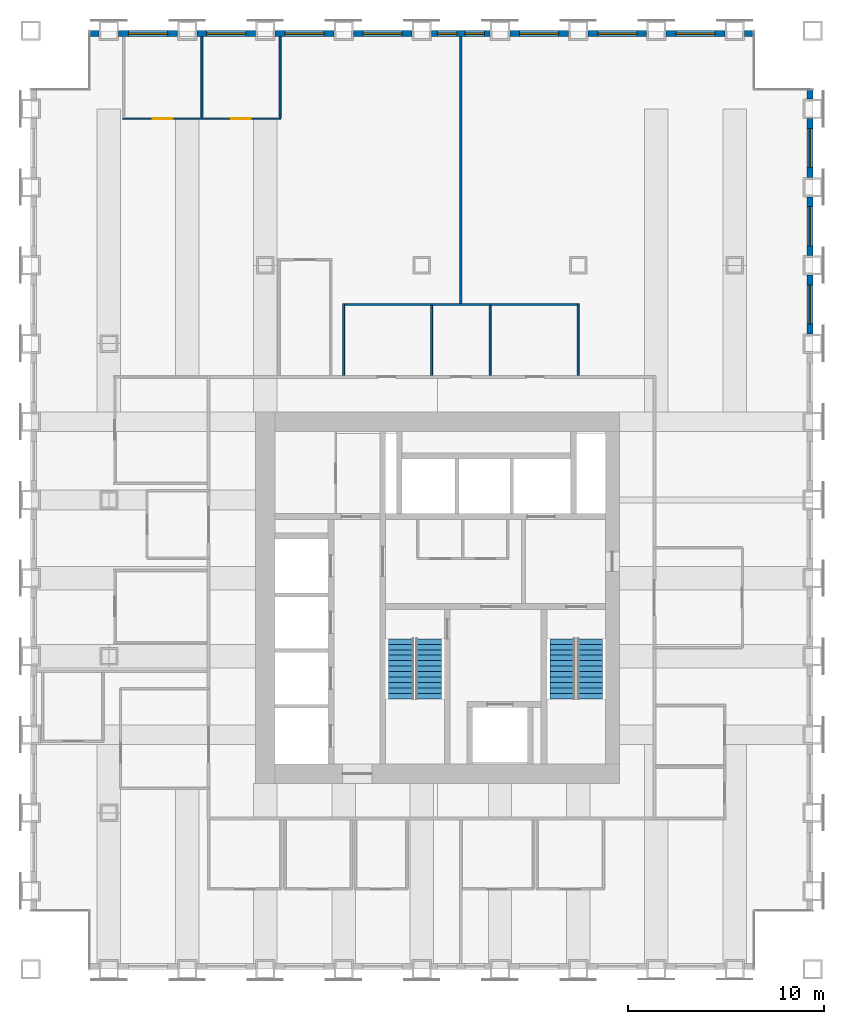
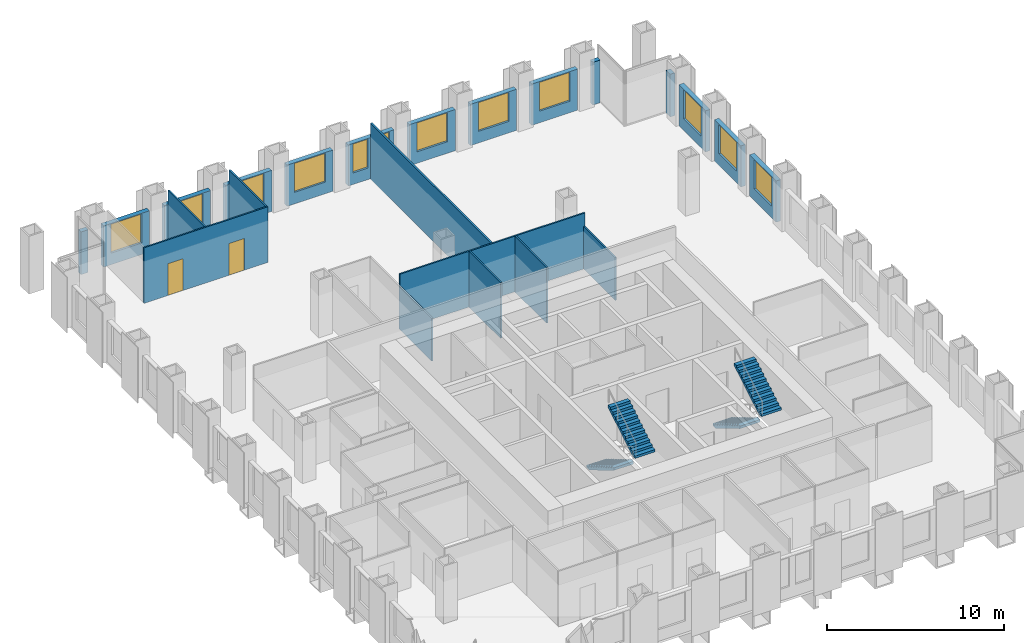
# One storey, part 11 of 13: 23 walls, 12 windows, 4 stair flights, 2 doors, 14 openings, 2 elements without a shape of their own.
"""IFC4 building model written with IfcOpenShell, lengths in metres."""

from ifc_helpers import new_model, si_unit, direction, frame, frame_2d, origin, place, context, subcontext, project, spatial, polyline, rectangle, outline, extrude, material, layer, layer_set, type_object, element, fill, aggregate, save


model = new_model("IFC4")

# Units and contexts
model_context = context("Model", 3, precision=1e-05, world=origin(), true_north=direction((0.0, 1.0)))
body_context = subcontext(model_context, "Body", "Model", "MODEL_VIEW")
ifc_project = project(units=[si_unit("LENGTHUNIT", "METRE"), si_unit("AREAUNIT", "SQUARE_METRE"), si_unit("VOLUMEUNIT", "CUBIC_METRE"), si_unit("PLANEANGLEUNIT", "RADIAN"), si_unit("MASSUNIT", "GRAM", prefix="KILO")], contexts=[model_context])

# Site, building, storey
site_placement = place(None, origin())
site = spatial("IfcSite", under=ifc_project, at=site_placement, CompositionType="ELEMENT")
building_placement = place(site_placement, origin())
building = spatial("IfcBuilding", under=site, at=building_placement, Name="Rimbunsela Tower", CompositionType="ELEMENT")
storey_placement = place(building_placement, frame((0.0, 0.0, 175.800048828125)))
storey = spatial("IfcBuildingStorey", under=building, at=storey_placement, Name="L42", CompositionType="ELEMENT", Elevation=175.800048828125)

# Wall, openings, doors
ifc_material_1 = material(Name="Gypsum board on steel studs", Category="steel")
ifc_layer_1 = layer(ifc_material_1, 0.10009765625)
ifc_layer_set_1 = layer_set([ifc_layer_1], Name="Office partition 100")
wall_type_1 = type_object("IfcWallType", Name="Office partition 100", PredefinedType="PARTITIONING", material=ifc_layer_set_1)
wall_1_placement = place(storey_placement, frame((10.699951171875, 51.5, 0.0), z_axis=(0.0, 0.0, 1.0), x_axis=(1.0, 0.0, 0.0)))
wall_1 = element("IfcWall", 1, at=wall_1_placement, inside=storey, type_object=wall_type_1, Name="Office partition", PredefinedType="PARTITIONING", context=body_context, shape_type="SweptSolid", body=[
    extrude(rectangle(XDim=8.10009765625, YDim=0.10009765625, at=frame_2d((4.050048828125, 0.0))), origin(), (0.0, 0.0, 1.0), 3.849853515625),
])
opening_1_placement = place(wall_1_placement, frame((1.550048828125, 0.0, 0.0)))
opening_1 = element("IfcOpeningElement", 2, at=opening_1_placement, cuts=wall_1, Name="Opening D16", PredefinedType="OPENING", context=body_context, shape_type="SweptSolid", body=[
    extrude(rectangle(XDim=1.0, YDim=2.199951171875, at=frame_2d((0.5, 1.10009765625))), frame((0.0, 0.06005859375, 0.0), z_axis=(0.0, -1.0, 0.0), x_axis=(1.0, 0.0, 0.0)), (0.0, 0.0, 1.0), 0.1201171875),
])
opening_2_placement = place(wall_1_placement, frame((5.550048828125, 0.0, 0.0)))
opening_2 = element("IfcOpeningElement", 3, at=opening_2_placement, cuts=wall_1, Name="Opening D16", PredefinedType="OPENING", context=body_context, shape_type="SweptSolid", body=[
    extrude(rectangle(XDim=1.0, YDim=2.199951171875, at=frame_2d((0.5, 1.10009765625))), frame((0.0, 0.06005859375, 0.0), z_axis=(0.0, -1.0, 0.0), x_axis=(1.0, 0.0, 0.0)), (0.0, 0.0, 1.0), 0.1201171875),
])
ifc_material_2 = material(Name="Timber door", Category="wood")
door_type = type_object("IfcDoorType", Name="Office door 1000", OperationType="SINGLE_SWING_LEFT", PredefinedType="DOOR", material=ifc_material_2)
door_1_placement = place(opening_1_placement, origin())
door_1 = element("IfcDoor", 4, at=door_1_placement, inside=storey, type_object=door_type, Name="Office door", OperationType="SINGLE_SWING_LEFT", OverallHeight=2.199951171875, OverallWidth=1.0, PredefinedType="DOOR", context=body_context, shape_type="SweptSolid", body=[
    extrude(rectangle(XDim=1.0, YDim=2.199951171875, at=frame_2d((0.5, 1.10009765625))), frame((0.0, 0.02490234375, 0.0), z_axis=(0.0, -1.0, 0.0), x_axis=(1.0, 0.0, 0.0)), (0.0, 0.0, 1.0), 0.050048828125),
])
fill(opening_1, door_1)
door_2_placement = place(opening_2_placement, origin())
door_2 = element("IfcDoor", 5, at=door_2_placement, inside=storey, type_object=door_type, Name="Office door", OperationType="SINGLE_SWING_LEFT", OverallHeight=2.199951171875, OverallWidth=1.0, PredefinedType="DOOR", context=body_context, shape_type="SweptSolid", body=[
    extrude(rectangle(XDim=1.0, YDim=2.199951171875, at=frame_2d((0.5, 1.10009765625))), frame((0.0, 0.02490234375, 0.0), z_axis=(0.0, -1.0, 0.0), x_axis=(1.0, 0.0, 0.0)), (0.0, 0.0, 1.0), 0.050048828125),
])
fill(opening_2, door_2)

# Walls
for number, where, z_axis, x_axis, name in (
    (6, (14.75, 51.550048828125, 0.0), (0.0, 0.0, 1.0), (0.0, 1.0, 0.0), "Office partition"),
    (7, (18.75, 51.550048828125, 0.0), (0.0, 0.0, 1.0), (0.0, 1.0, 0.0), "Office partition"),
):
    element("IfcWall", number, at=place(storey_placement, frame(where, z_axis=z_axis, x_axis=x_axis)), inside=storey, type_object=wall_type_1, Name=name, PredefinedType="PARTITIONING", context=body_context, shape_type="SweptSolid", body=[
        extrude(rectangle(XDim=4.14990234375, YDim=0.10009765625, at=frame_2d((2.074951171875, 0.0))), origin(), (0.0, 0.0, 1.0), 3.849853515625),
    ])

# Wall, opening, window
ifc_material_3 = material(Name="Precast concrete fc' 35 MPa", Category="concrete")
ifc_layer_2 = layer(ifc_material_3, 0.300048828125)
ifc_layer_set_2 = layer_set([ifc_layer_2], Name="Precast concrete fc' 35 MPa")
wall_type_2 = type_object("IfcWallType", Name="Precast facade panel 300", PredefinedType="ELEMENTEDWALL", material=ifc_layer_set_2)
wall_2_placement = place(storey_placement, frame((45.85009765625, 40.5, 0.0), z_axis=(0.0, 0.0, 1.0), x_axis=(0.0, 1.0, 0.0)))
wall_2 = element("IfcWall", 8, at=wall_2_placement, inside=storey, type_object=wall_type_2, Name="Facade panel E L42", PredefinedType="ELEMENTEDWALL", context=body_context, shape_type="SweptSolid", body=[
    extrude(rectangle(XDim=3.0, YDim=0.300048828125, at=frame_2d((1.5, 0.0))), origin(), (0.0, 0.0, 1.0), 2.849853515625),
])
opening_3_placement = place(wall_2_placement, frame((0.5, 0.0, 0.800048828125)))
opening_3 = element("IfcOpeningElement", 9, at=opening_3_placement, cuts=wall_2, Name="Opening W1", PredefinedType="OPENING", context=body_context, shape_type="SweptSolid", body=[
    extrude(rectangle(XDim=2.0, YDim=2.0, at=frame_2d((1.0, 1.0))), frame((0.0, 0.159912109375, 0.0), z_axis=(0.0, -1.0, 0.0), x_axis=(1.0, 0.0, 0.0)), (0.0, 0.0, 1.0), 0.320068359375),
])
ifc_material_4 = material(Name="Clear glass in aluminium frame", Category="aluminium")
window_type_1 = type_object("IfcWindowType", Name="Window W1 2000x2000", PartitioningType="DOUBLE_PANEL_VERTICAL", PredefinedType="WINDOW", material=ifc_material_4)
window_1_placement = place(opening_3_placement, origin())
window_1 = element("IfcWindow", 10, at=window_1_placement, inside=storey, type_object=window_type_1, Name="Window L42", OverallHeight=2.0, OverallWidth=2.0, PartitioningType="SINGLE_PANEL", PredefinedType="WINDOW", context=body_context, shape_type="SweptSolid", body=[
    extrude(rectangle(XDim=2.0, YDim=2.0, at=frame_2d((1.0, 1.0))), frame((0.0, 0.030029296875, 0.0), z_axis=(0.0, -1.0, 0.0), x_axis=(1.0, 0.0, 0.0)), (0.0, 0.0, 1.0), 0.06005859375),
])
fill(opening_3, window_1)

wall_3_placement = place(storey_placement, frame((45.85009765625, 44.5, 0.0), z_axis=(0.0, 0.0, 1.0), x_axis=(0.0, 1.0, 0.0)))
wall_3 = element("IfcWall", 11, at=wall_3_placement, inside=storey, type_object=wall_type_2, Name="Facade panel E L42", PredefinedType="ELEMENTEDWALL", context=body_context, shape_type="SweptSolid", body=[
    extrude(rectangle(XDim=3.0, YDim=0.300048828125, at=frame_2d((1.5, 0.0))), origin(), (0.0, 0.0, 1.0), 2.849853515625),
])
opening_4_placement = place(wall_3_placement, frame((0.5, 0.0, 0.800048828125)))
opening_4 = element("IfcOpeningElement", 12, at=opening_4_placement, cuts=wall_3, Name="Opening W1", PredefinedType="OPENING", context=body_context, shape_type="SweptSolid", body=[
    extrude(rectangle(XDim=2.0, YDim=2.0, at=frame_2d((1.0, 1.0))), frame((0.0, 0.159912109375, 0.0), z_axis=(0.0, -1.0, 0.0), x_axis=(1.0, 0.0, 0.0)), (0.0, 0.0, 1.0), 0.320068359375),
])
window_2_placement = place(opening_4_placement, origin())
window_2 = element("IfcWindow", 13, at=window_2_placement, inside=storey, type_object=window_type_1, Name="Window L42", OverallHeight=2.0, OverallWidth=2.0, PartitioningType="SINGLE_PANEL", PredefinedType="WINDOW", context=body_context, shape_type="SweptSolid", body=[
    extrude(rectangle(XDim=2.0, YDim=2.0, at=frame_2d((1.0, 1.0))), frame((0.0, 0.030029296875, 0.0), z_axis=(0.0, -1.0, 0.0), x_axis=(1.0, 0.0, 0.0)), (0.0, 0.0, 1.0), 0.06005859375),
])
fill(opening_4, window_2)

wall_4_placement = place(storey_placement, frame((45.85009765625, 48.5, 0.0), z_axis=(0.0, 0.0, 1.0), x_axis=(0.0, 1.0, 0.0)))
wall_4 = element("IfcWall", 14, at=wall_4_placement, inside=storey, type_object=wall_type_2, Name="Facade panel E L42", PredefinedType="ELEMENTEDWALL", context=body_context, shape_type="SweptSolid", body=[
    extrude(rectangle(XDim=3.0, YDim=0.300048828125, at=frame_2d((1.5, 0.0))), origin(), (0.0, 0.0, 1.0), 2.849853515625),
])
opening_5_placement = place(wall_4_placement, frame((0.5, 0.0, 0.800048828125)))
opening_5 = element("IfcOpeningElement", 15, at=opening_5_placement, cuts=wall_4, Name="Opening W1", PredefinedType="OPENING", context=body_context, shape_type="SweptSolid", body=[
    extrude(rectangle(XDim=2.0, YDim=2.0, at=frame_2d((1.0, 1.0))), frame((0.0, 0.159912109375, 0.0), z_axis=(0.0, -1.0, 0.0), x_axis=(1.0, 0.0, 0.0)), (0.0, 0.0, 1.0), 0.320068359375),
])
window_3_placement = place(opening_5_placement, origin())
window_3 = element("IfcWindow", 16, at=window_3_placement, inside=storey, type_object=window_type_1, Name="Window L42", OverallHeight=2.0, OverallWidth=2.0, PartitioningType="SINGLE_PANEL", PredefinedType="WINDOW", context=body_context, shape_type="SweptSolid", body=[
    extrude(rectangle(XDim=2.0, YDim=2.0, at=frame_2d((1.0, 1.0))), frame((0.0, 0.030029296875, 0.0), z_axis=(0.0, -1.0, 0.0), x_axis=(1.0, 0.0, 0.0)), (0.0, 0.0, 1.0), 0.06005859375),
])
fill(opening_5, window_3)

# Walls
for number, where, z_axis, x_axis, name in (
    (17, (45.85009765625, 52.5, 0.0), (0.0, 0.0, 1.0), (0.0, 1.0, 0.0), "Facade panel E L42"),
    (18, (9.5, 55.85009765625, 0.0), (0.0, 0.0, 1.0), (-1.0, 0.0, 0.0), "Facade panel N L42"),
):
    element("IfcWall", number, at=place(storey_placement, frame(where, z_axis=z_axis, x_axis=x_axis)), inside=storey, type_object=wall_type_2, Name=name, PredefinedType="ELEMENTEDWALL", context=body_context, shape_type="SweptSolid", body=[
        extrude(rectangle(XDim=0.469970703125, YDim=0.300048828125, at=frame_2d((0.23486328125, 0.0))), origin(), (0.0, 0.0, 1.0), 2.949951171875),
    ])

# Wall, opening, window
wall_5_placement = place(storey_placement, frame((13.5, 55.85009765625, 0.0), z_axis=(0.0, 0.0, 1.0), x_axis=(-1.0, 0.0, 0.0)))
wall_5 = element("IfcWall", 19, at=wall_5_placement, inside=storey, type_object=wall_type_2, Name="Facade panel N L42", PredefinedType="ELEMENTEDWALL", context=body_context, shape_type="SweptSolid", body=[
    extrude(rectangle(XDim=3.0, YDim=0.300048828125, at=frame_2d((1.5, 0.0))), origin(), (0.0, 0.0, 1.0), 2.849853515625),
])
opening_6_placement = place(wall_5_placement, frame((0.5, 0.0, 0.800048828125)))
opening_6 = element("IfcOpeningElement", 20, at=opening_6_placement, cuts=wall_5, Name="Opening W1", PredefinedType="OPENING", context=body_context, shape_type="SweptSolid", body=[
    extrude(rectangle(XDim=2.0, YDim=2.0, at=frame_2d((1.0, 1.0))), frame((0.0, 0.159912109375, 0.0), z_axis=(0.0, -1.0, 0.0), x_axis=(1.0, 0.0, 0.0)), (0.0, 0.0, 1.0), 0.320068359375),
])
window_4_placement = place(opening_6_placement, origin())
window_4 = element("IfcWindow", 21, at=window_4_placement, inside=storey, type_object=window_type_1, Name="Window L42", OverallHeight=2.0, OverallWidth=2.0, PartitioningType="SINGLE_PANEL", PredefinedType="WINDOW", context=body_context, shape_type="SweptSolid", body=[
    extrude(rectangle(XDim=2.0, YDim=2.0, at=frame_2d((1.0, 1.0))), frame((0.0, 0.030029296875, 0.0), z_axis=(0.0, -1.0, 0.0), x_axis=(1.0, 0.0, 0.0)), (0.0, 0.0, 1.0), 0.06005859375),
])
fill(opening_6, window_4)

wall_6_placement = place(storey_placement, frame((17.5, 55.85009765625, 0.0), z_axis=(0.0, 0.0, 1.0), x_axis=(-1.0, 0.0, 0.0)))
wall_6 = element("IfcWall", 22, at=wall_6_placement, inside=storey, type_object=wall_type_2, Name="Facade panel N L42", PredefinedType="ELEMENTEDWALL", context=body_context, shape_type="SweptSolid", body=[
    extrude(rectangle(XDim=3.0, YDim=0.300048828125, at=frame_2d((1.5, 0.0))), origin(), (0.0, 0.0, 1.0), 2.849853515625),
])
opening_7_placement = place(wall_6_placement, frame((0.5, 0.0, 0.800048828125)))
opening_7 = element("IfcOpeningElement", 23, at=opening_7_placement, cuts=wall_6, Name="Opening W1", PredefinedType="OPENING", context=body_context, shape_type="SweptSolid", body=[
    extrude(rectangle(XDim=2.0, YDim=2.0, at=frame_2d((1.0, 1.0))), frame((0.0, 0.159912109375, 0.0), z_axis=(0.0, -1.0, 0.0), x_axis=(1.0, 0.0, 0.0)), (0.0, 0.0, 1.0), 0.320068359375),
])
window_5_placement = place(opening_7_placement, origin())
window_5 = element("IfcWindow", 24, at=window_5_placement, inside=storey, type_object=window_type_1, Name="Window L42", OverallHeight=2.0, OverallWidth=2.0, PartitioningType="SINGLE_PANEL", PredefinedType="WINDOW", context=body_context, shape_type="SweptSolid", body=[
    extrude(rectangle(XDim=2.0, YDim=2.0, at=frame_2d((1.0, 1.0))), frame((0.0, 0.030029296875, 0.0), z_axis=(0.0, -1.0, 0.0), x_axis=(1.0, 0.0, 0.0)), (0.0, 0.0, 1.0), 0.06005859375),
])
fill(opening_7, window_5)

wall_7_placement = place(storey_placement, frame((21.5, 55.85009765625, 0.0), z_axis=(0.0, 0.0, 1.0), x_axis=(-1.0, 0.0, 0.0)))
wall_7 = element("IfcWall", 25, at=wall_7_placement, inside=storey, type_object=wall_type_2, Name="Facade panel N L42", PredefinedType="ELEMENTEDWALL", context=body_context, shape_type="SweptSolid", body=[
    extrude(rectangle(XDim=3.0, YDim=0.300048828125, at=frame_2d((1.5, 0.0))), origin(), (0.0, 0.0, 1.0), 2.849853515625),
])
opening_8_placement = place(wall_7_placement, frame((0.5, 0.0, 0.800048828125)))
opening_8 = element("IfcOpeningElement", 26, at=opening_8_placement, cuts=wall_7, Name="Opening W1", PredefinedType="OPENING", context=body_context, shape_type="SweptSolid", body=[
    extrude(rectangle(XDim=2.0, YDim=2.0, at=frame_2d((1.0, 1.0))), frame((0.0, 0.159912109375, 0.0), z_axis=(0.0, -1.0, 0.0), x_axis=(1.0, 0.0, 0.0)), (0.0, 0.0, 1.0), 0.320068359375),
])
window_6_placement = place(opening_8_placement, origin())
window_6 = element("IfcWindow", 27, at=window_6_placement, inside=storey, type_object=window_type_1, Name="Window L42", OverallHeight=2.0, OverallWidth=2.0, PartitioningType="SINGLE_PANEL", PredefinedType="WINDOW", context=body_context, shape_type="SweptSolid", body=[
    extrude(rectangle(XDim=2.0, YDim=2.0, at=frame_2d((1.0, 1.0))), frame((0.0, 0.030029296875, 0.0), z_axis=(0.0, -1.0, 0.0), x_axis=(1.0, 0.0, 0.0)), (0.0, 0.0, 1.0), 0.06005859375),
])
fill(opening_8, window_6)

wall_8_placement = place(storey_placement, frame((25.5, 55.85009765625, 0.0), z_axis=(0.0, 0.0, 1.0), x_axis=(-1.0, 0.0, 0.0)))
wall_8 = element("IfcWall", 28, at=wall_8_placement, inside=storey, type_object=wall_type_2, Name="Facade panel N L42", PredefinedType="ELEMENTEDWALL", context=body_context, shape_type="SweptSolid", body=[
    extrude(rectangle(XDim=3.0, YDim=0.300048828125, at=frame_2d((1.5, 0.0))), origin(), (0.0, 0.0, 1.0), 2.849853515625),
])
opening_9_placement = place(wall_8_placement, frame((0.5, 0.0, 0.800048828125)))
opening_9 = element("IfcOpeningElement", 29, at=opening_9_placement, cuts=wall_8, Name="Opening W1", PredefinedType="OPENING", context=body_context, shape_type="SweptSolid", body=[
    extrude(rectangle(XDim=2.0, YDim=2.0, at=frame_2d((1.0, 1.0))), frame((0.0, 0.159912109375, 0.0), z_axis=(0.0, -1.0, 0.0), x_axis=(1.0, 0.0, 0.0)), (0.0, 0.0, 1.0), 0.320068359375),
])
window_7_placement = place(opening_9_placement, origin())
window_7 = element("IfcWindow", 30, at=window_7_placement, inside=storey, type_object=window_type_1, Name="Window L42", OverallHeight=2.0, OverallWidth=2.0, PartitioningType="SINGLE_PANEL", PredefinedType="WINDOW", context=body_context, shape_type="SweptSolid", body=[
    extrude(rectangle(XDim=2.0, YDim=2.0, at=frame_2d((1.0, 1.0))), frame((0.0, 0.030029296875, 0.0), z_axis=(0.0, -1.0, 0.0), x_axis=(1.0, 0.0, 0.0)), (0.0, 0.0, 1.0), 0.06005859375),
])
fill(opening_9, window_7)

# Wall, openings, windows
wall_9_placement = place(storey_placement, frame((29.5, 55.85009765625, 0.0), z_axis=(0.0, 0.0, 1.0), x_axis=(-1.0, 0.0, 0.0)))
wall_9 = element("IfcWall", 31, at=wall_9_placement, inside=storey, type_object=wall_type_2, Name="Facade panel N L42", PredefinedType="ELEMENTEDWALL", context=body_context, shape_type="SweptSolid", body=[
    extrude(rectangle(XDim=3.0, YDim=0.300048828125, at=frame_2d((1.5, 0.0))), origin(), (0.0, 0.0, 1.0), 2.849853515625),
])
opening_10_placement = place(wall_9_placement, frame((1.699951171875, 0.0, 0.800048828125)))
opening_10 = element("IfcOpeningElement", 32, at=opening_10_placement, cuts=wall_9, Name="Opening W5", PredefinedType="OPENING", context=body_context, shape_type="SweptSolid", body=[
    extrude(rectangle(XDim=1.0, YDim=2.0, at=frame_2d((0.5, 1.0))), frame((0.0, 0.159912109375, 0.0), z_axis=(0.0, -1.0, 0.0), x_axis=(1.0, 0.0, 0.0)), (0.0, 0.0, 1.0), 0.320068359375),
])
opening_11_placement = place(wall_9_placement, frame((0.300048828125, 0.0, 0.800048828125)))
opening_11 = element("IfcOpeningElement", 33, at=opening_11_placement, cuts=wall_9, Name="Opening W5", PredefinedType="OPENING", context=body_context, shape_type="SweptSolid", body=[
    extrude(rectangle(XDim=1.0, YDim=2.0, at=frame_2d((0.5, 1.0))), frame((0.0, 0.159912109375, 0.0), z_axis=(0.0, -1.0, 0.0), x_axis=(1.0, 0.0, 0.0)), (0.0, 0.0, 1.0), 0.320068359375),
])
ifc_material_5 = material(Name="Clear glass in aluminium frame", Category="aluminium")
window_type_2 = type_object("IfcWindowType", Name="Window W5 1000x2000", PartitioningType="SINGLE_PANEL", PredefinedType="WINDOW", material=ifc_material_5)
window_8_placement = place(opening_10_placement, origin())
window_8 = element("IfcWindow", 34, at=window_8_placement, inside=storey, type_object=window_type_2, Name="Window L42", OverallHeight=2.0, OverallWidth=1.0, PartitioningType="SINGLE_PANEL", PredefinedType="WINDOW", context=body_context, shape_type="SweptSolid", body=[
    extrude(rectangle(XDim=1.0, YDim=2.0, at=frame_2d((0.5, 1.0))), frame((0.0, 0.030029296875, 0.0), z_axis=(0.0, -1.0, 0.0), x_axis=(1.0, 0.0, 0.0)), (0.0, 0.0, 1.0), 0.06005859375),
])
fill(opening_10, window_8)
window_9_placement = place(opening_11_placement, origin())
window_9 = element("IfcWindow", 35, at=window_9_placement, inside=storey, type_object=window_type_2, Name="Window L42", OverallHeight=2.0, OverallWidth=1.0, PartitioningType="SINGLE_PANEL", PredefinedType="WINDOW", context=body_context, shape_type="SweptSolid", body=[
    extrude(rectangle(XDim=1.0, YDim=2.0, at=frame_2d((0.5, 1.0))), frame((0.0, 0.030029296875, 0.0), z_axis=(0.0, -1.0, 0.0), x_axis=(1.0, 0.0, 0.0)), (0.0, 0.0, 1.0), 0.06005859375),
])
fill(opening_11, window_9)

# Wall, opening, window
wall_10_placement = place(storey_placement, frame((33.5, 55.85009765625, 0.0), z_axis=(0.0, 0.0, 1.0), x_axis=(-1.0, 0.0, 0.0)))
wall_10 = element("IfcWall", 36, at=wall_10_placement, inside=storey, type_object=wall_type_2, Name="Facade panel N L42", PredefinedType="ELEMENTEDWALL", context=body_context, shape_type="SweptSolid", body=[
    extrude(rectangle(XDim=3.0, YDim=0.300048828125, at=frame_2d((1.5, 0.0))), origin(), (0.0, 0.0, 1.0), 2.849853515625),
])
opening_12_placement = place(wall_10_placement, frame((0.5, 0.0, 0.800048828125)))
opening_12 = element("IfcOpeningElement", 37, at=opening_12_placement, cuts=wall_10, Name="Opening W1", PredefinedType="OPENING", context=body_context, shape_type="SweptSolid", body=[
    extrude(rectangle(XDim=2.0, YDim=2.0, at=frame_2d((1.0, 1.0))), frame((0.0, 0.159912109375, 0.0), z_axis=(0.0, -1.0, 0.0), x_axis=(1.0, 0.0, 0.0)), (0.0, 0.0, 1.0), 0.320068359375),
])
window_10_placement = place(opening_12_placement, origin())
window_10 = element("IfcWindow", 38, at=window_10_placement, inside=storey, type_object=window_type_1, Name="Window L42", OverallHeight=2.0, OverallWidth=2.0, PartitioningType="SINGLE_PANEL", PredefinedType="WINDOW", context=body_context, shape_type="SweptSolid", body=[
    extrude(rectangle(XDim=2.0, YDim=2.0, at=frame_2d((1.0, 1.0))), frame((0.0, 0.030029296875, 0.0), z_axis=(0.0, -1.0, 0.0), x_axis=(1.0, 0.0, 0.0)), (0.0, 0.0, 1.0), 0.06005859375),
])
fill(opening_12, window_10)

wall_11_placement = place(storey_placement, frame((37.5, 55.85009765625, 0.0), z_axis=(0.0, 0.0, 1.0), x_axis=(-1.0, 0.0, 0.0)))
wall_11 = element("IfcWall", 39, at=wall_11_placement, inside=storey, type_object=wall_type_2, Name="Facade panel N L42", PredefinedType="ELEMENTEDWALL", context=body_context, shape_type="SweptSolid", body=[
    extrude(rectangle(XDim=3.0, YDim=0.300048828125, at=frame_2d((1.5, 0.0))), origin(), (0.0, 0.0, 1.0), 2.849853515625),
])
opening_13_placement = place(wall_11_placement, frame((0.5, 0.0, 0.800048828125)))
opening_13 = element("IfcOpeningElement", 40, at=opening_13_placement, cuts=wall_11, Name="Opening W1", PredefinedType="OPENING", context=body_context, shape_type="SweptSolid", body=[
    extrude(rectangle(XDim=2.0, YDim=2.0, at=frame_2d((1.0, 1.0))), frame((0.0, 0.159912109375, 0.0), z_axis=(0.0, -1.0, 0.0), x_axis=(1.0, 0.0, 0.0)), (0.0, 0.0, 1.0), 0.320068359375),
])
window_11_placement = place(opening_13_placement, origin())
window_11 = element("IfcWindow", 41, at=window_11_placement, inside=storey, type_object=window_type_1, Name="Window L42", OverallHeight=2.0, OverallWidth=2.0, PartitioningType="SINGLE_PANEL", PredefinedType="WINDOW", context=body_context, shape_type="SweptSolid", body=[
    extrude(rectangle(XDim=2.0, YDim=2.0, at=frame_2d((1.0, 1.0))), frame((0.0, 0.030029296875, 0.0), z_axis=(0.0, -1.0, 0.0), x_axis=(1.0, 0.0, 0.0)), (0.0, 0.0, 1.0), 0.06005859375),
])
fill(opening_13, window_11)

wall_12_placement = place(storey_placement, frame((41.5, 55.85009765625, 0.0), z_axis=(0.0, 0.0, 1.0), x_axis=(-1.0, 0.0, 0.0)))
wall_12 = element("IfcWall", 42, at=wall_12_placement, inside=storey, type_object=wall_type_2, Name="Facade panel N L42", PredefinedType="ELEMENTEDWALL", context=body_context, shape_type="SweptSolid", body=[
    extrude(rectangle(XDim=3.0, YDim=0.300048828125, at=frame_2d((1.5, 0.0))), origin(), (0.0, 0.0, 1.0), 2.849853515625),
])
opening_14_placement = place(wall_12_placement, frame((0.5, 0.0, 0.800048828125)))
opening_14 = element("IfcOpeningElement", 43, at=opening_14_placement, cuts=wall_12, Name="Opening W1", PredefinedType="OPENING", context=body_context, shape_type="SweptSolid", body=[
    extrude(rectangle(XDim=2.0, YDim=2.0, at=frame_2d((1.0, 1.0))), frame((0.0, 0.159912109375, 0.0), z_axis=(0.0, -1.0, 0.0), x_axis=(1.0, 0.0, 0.0)), (0.0, 0.0, 1.0), 0.320068359375),
])
window_12_placement = place(opening_14_placement, origin())
window_12 = element("IfcWindow", 44, at=window_12_placement, inside=storey, type_object=window_type_1, Name="Window L42", OverallHeight=2.0, OverallWidth=2.0, PartitioningType="SINGLE_PANEL", PredefinedType="WINDOW", context=body_context, shape_type="SweptSolid", body=[
    extrude(rectangle(XDim=2.0, YDim=2.0, at=frame_2d((1.0, 1.0))), frame((0.0, 0.030029296875, 0.0), z_axis=(0.0, -1.0, 0.0), x_axis=(1.0, 0.0, 0.0)), (0.0, 0.0, 1.0), 0.06005859375),
])
fill(opening_14, window_12)

# Walls
wall_13_placement = place(storey_placement, frame((42.969970703125, 55.85009765625, 0.0), z_axis=(0.0, 0.0, 1.0), x_axis=(-1.0, 0.0, 0.0)))
element("IfcWall", 45, at=wall_13_placement, inside=storey, type_object=wall_type_2, Name="Facade panel N L42", PredefinedType="ELEMENTEDWALL", context=body_context, shape_type="SweptSolid", body=[
    extrude(rectangle(XDim=0.469970703125, YDim=0.300048828125, at=frame_2d((0.23486328125, 0.0))), origin(), (0.0, 0.0, 1.0), 2.949951171875),
])
ifc_material_6 = material(Name="Gypsum board on steel studs", Category="steel")
ifc_layer_3 = layer(ifc_material_6, 0.1201171875)
ifc_layer_set_3 = layer_set([ifc_layer_3], Name="Tenancy partition 120")
wall_type_3 = type_object("IfcWallType", Name="Tenancy partition 120", PredefinedType="PARTITIONING", material=ifc_layer_set_3)
wall_14_placement = place(storey_placement, frame((28.0, 42.050048828125, 0.0), z_axis=(0.0, 0.0, 1.0), x_axis=(0.0, 1.0, 0.0)))
element("IfcWall", 46, at=wall_14_placement, inside=storey, type_object=wall_type_3, Name="Tenancy partition north", PredefinedType="PARTITIONING", context=body_context, shape_type="SweptSolid", body=[
    extrude(rectangle(XDim=13.64990234375, YDim=0.1201171875, at=frame_2d((6.824951171875, 0.0))), origin(), (0.0, 0.0, 1.0), 3.849853515625),
])
ifc_material_7 = material(Name="Concrete blockwork", Category="masonry")
ifc_layer_4 = layer(ifc_material_7, 0.10009765625)
ifc_layer_set_4 = layer_set([ifc_layer_4], Name="Toilet partition 100")
wall_type_4 = type_object("IfcWallType", Name="Toilet partition 100", PredefinedType="PARTITIONING", material=ifc_layer_set_4)
for number, where, z_axis, x_axis, name in (
    (47, (22.0, 38.375, 0.0), (0.0, 0.0, 1.0), (0.0, 1.0, 0.0), "Toilet block wall west"),
    (48, (34.0, 38.375, 0.0), (0.0, 0.0, 1.0), (0.0, 1.0, 0.0), "Toilet block wall east"),
):
    element("IfcWall", number, at=place(storey_placement, frame(where, z_axis=z_axis, x_axis=x_axis)), inside=storey, type_object=wall_type_4, Name=name, PredefinedType="PARTITIONING", context=body_context, shape_type="SweptSolid", body=[
        extrude(rectangle(XDim=3.675048828125, YDim=0.10009765625, at=frame_2d((1.83740234375, 0.0))), origin(), (0.0, 0.0, 1.0), 2.949951171875),
    ])
wall_15_placement = place(storey_placement, frame((21.949951171875, 42.0, 0.0), z_axis=(0.0, 0.0, 1.0), x_axis=(1.0, 0.0, 0.0)))
element("IfcWall", 49, at=wall_15_placement, inside=storey, type_object=wall_type_4, Name="Toilet block wall north", PredefinedType="PARTITIONING", context=body_context, shape_type="SweptSolid", body=[
    extrude(rectangle(XDim=12.10009765625, YDim=0.10009765625, at=frame_2d((6.050048828125, 0.0))), origin(), (0.0, 0.0, 1.0), 3.849853515625),
])
for number, where, z_axis, x_axis, name in (
    (50, (26.5, 38.375, 0.0), (0.0, 0.0, 1.0), (0.0, 1.0, 0.0), "Toilet partition"),
    (51, (29.5, 38.375, 0.0), (0.0, 0.0, 1.0), (0.0, 1.0, 0.0), "Toilet partition"),
):
    element("IfcWall", number, at=place(storey_placement, frame(where, z_axis=z_axis, x_axis=x_axis)), inside=storey, type_object=wall_type_4, Name=name, PredefinedType="PARTITIONING", context=body_context, shape_type="SweptSolid", body=[
        extrude(rectangle(XDim=3.574951171875, YDim=0.10009765625, at=frame_2d((1.78759765625, 0.0))), origin(), (0.0, 0.0, 1.0), 3.849853515625),
    ])

# Stair, stair flights
ifc_material_8 = material(Name="Concrete fc' 35 MPa", Category="concrete")
stair_type = type_object("IfcStairType", Name="Exit stair 24 risers", PredefinedType="HALF_TURN_STAIR", material=ifc_material_8)
stair_1_placement = place(storey_placement, origin())
stair_1 = element("IfcStair", 52, at=stair_1_placement, inside=storey, type_object=stair_type, Name="Exit stair A L42", PredefinedType="HALF_TURN_STAIR")
ifc_material_9 = material(Name="Concrete fc' 35 MPa", Category="concrete")
stair_flight_type = type_object("IfcStairFlightType", Name="Stair flight 12 risers 167", PredefinedType="STRAIGHT", material=ifc_material_9)
stair_flight_1_placement = place(storey_placement, frame((24.949951171875, 24.89990234375, 0.0), z_axis=(0.0, 0.0, 1.0), x_axis=(0.0, -1.0, 0.0)))
stair_flight_1 = element("IfcStairFlight", 53, at=stair_flight_1_placement, type_object=stair_flight_type, Name="ST-A flight 1", NumberOfRisers=12, NumberOfTreads=11, PredefinedType="STRAIGHT", RiserHeight=0.166666667, TreadLength=0.28, context=body_context, shape_type="SweptSolid", body=[
    extrude(outline(polyline([(0.0, 0.0), (0.0, 0.166748046875), (0.280029296875, 0.166748046875), (0.280029296875, 0.333251953125), (0.56005859375, 0.333251953125), (0.56005859375, 0.5), (0.840087890625, 0.5), (0.840087890625, 0.666748046875), (1.1201171875, 0.666748046875), (1.1201171875, 0.833251953125), (1.39990234375, 0.833251953125), (1.39990234375, 1.0), (1.679931640625, 1.0), (1.679931640625, 1.166748046875), (1.9599609375, 1.166748046875), (1.9599609375, 1.333251953125), (2.239990234375, 1.333251953125), (2.239990234375, 1.5), (2.52001953125, 1.5), (2.52001953125, 1.666748046875), (2.800048828125, 1.666748046875), (2.800048828125, 1.833251953125), (3.080078125, 1.833251953125), (3.080078125, 2.0), (3.080078125, 1.658935546875), (0.29296875, 0.0), (0.0, 0.0)])), frame((0.0, 0.64990234375, 0.0), z_axis=(0.0, -1.0, 0.0), x_axis=(1.0, 0.0, 0.0)), (0.0, 0.0, 1.0), 1.300048828125),
])
stair_flight_2_placement = place(storey_placement, frame((26.35009765625, 21.820068359375, 2.0), z_axis=(0.0, 0.0, 1.0), x_axis=(0.0, 1.0, 0.0)))
stair_flight_2 = element("IfcStairFlight", 54, at=stair_flight_2_placement, type_object=stair_flight_type, Name="ST-A flight 2", NumberOfRisers=12, NumberOfTreads=11, PredefinedType="STRAIGHT", RiserHeight=0.166666667, TreadLength=0.28, context=body_context, shape_type="SweptSolid", body=[
    extrude(outline(polyline([(0.0, 0.0), (0.0, 0.166748046875), (0.280029296875, 0.166748046875), (0.280029296875, 0.333251953125), (0.56005859375, 0.333251953125), (0.56005859375, 0.5), (0.840087890625, 0.5), (0.840087890625, 0.666748046875), (1.1201171875, 0.666748046875), (1.1201171875, 0.833251953125), (1.39990234375, 0.833251953125), (1.39990234375, 1.0), (1.679931640625, 1.0), (1.679931640625, 1.166748046875), (1.9599609375, 1.166748046875), (1.9599609375, 1.333251953125), (2.239990234375, 1.333251953125), (2.239990234375, 1.5), (2.52001953125, 1.5), (2.52001953125, 1.666748046875), (2.800048828125, 1.666748046875), (2.800048828125, 1.833251953125), (3.080078125, 1.833251953125), (3.080078125, 2.0), (3.080078125, 1.658935546875), (0.29296875, 0.0), (0.0, 0.0)])), frame((0.0, 0.64990234375, 0.0), z_axis=(0.0, -1.0, 0.0), x_axis=(1.0, 0.0, 0.0)), (0.0, 0.0, 1.0), 1.300048828125),
])
aggregate(stair_1, [stair_flight_1, stair_flight_2])

stair_2_placement = place(storey_placement, origin())
stair_2 = element("IfcStair", 55, at=stair_2_placement, inside=storey, type_object=stair_type, Name="Exit stair B L42", PredefinedType="HALF_TURN_STAIR")
stair_flight_3_placement = place(storey_placement, frame((33.199951171875, 24.89990234375, 0.0), z_axis=(0.0, 0.0, 1.0), x_axis=(0.0, -1.0, 0.0)))
stair_flight_3 = element("IfcStairFlight", 56, at=stair_flight_3_placement, type_object=stair_flight_type, Name="ST-B flight 1", NumberOfRisers=12, NumberOfTreads=11, PredefinedType="STRAIGHT", RiserHeight=0.166666667, TreadLength=0.28, context=body_context, shape_type="SweptSolid", body=[
    extrude(outline(polyline([(0.0, 0.0), (0.0, 0.166748046875), (0.280029296875, 0.166748046875), (0.280029296875, 0.333251953125), (0.56005859375, 0.333251953125), (0.56005859375, 0.5), (0.840087890625, 0.5), (0.840087890625, 0.666748046875), (1.1201171875, 0.666748046875), (1.1201171875, 0.833251953125), (1.39990234375, 0.833251953125), (1.39990234375, 1.0), (1.679931640625, 1.0), (1.679931640625, 1.166748046875), (1.9599609375, 1.166748046875), (1.9599609375, 1.333251953125), (2.239990234375, 1.333251953125), (2.239990234375, 1.5), (2.52001953125, 1.5), (2.52001953125, 1.666748046875), (2.800048828125, 1.666748046875), (2.800048828125, 1.833251953125), (3.080078125, 1.833251953125), (3.080078125, 2.0), (3.080078125, 1.658935546875), (0.29296875, 0.0), (0.0, 0.0)])), frame((0.0, 0.64990234375, 0.0), z_axis=(0.0, -1.0, 0.0), x_axis=(1.0, 0.0, 0.0)), (0.0, 0.0, 1.0), 1.300048828125),
])
stair_flight_4_placement = place(storey_placement, frame((34.60009765625, 21.820068359375, 2.0), z_axis=(0.0, 0.0, 1.0), x_axis=(0.0, 1.0, 0.0)))
stair_flight_4 = element("IfcStairFlight", 57, at=stair_flight_4_placement, type_object=stair_flight_type, Name="ST-B flight 2", NumberOfRisers=12, NumberOfTreads=11, PredefinedType="STRAIGHT", RiserHeight=0.166666667, TreadLength=0.28, context=body_context, shape_type="SweptSolid", body=[
    extrude(outline(polyline([(0.0, 0.0), (0.0, 0.166748046875), (0.280029296875, 0.166748046875), (0.280029296875, 0.333251953125), (0.56005859375, 0.333251953125), (0.56005859375, 0.5), (0.840087890625, 0.5), (0.840087890625, 0.666748046875), (1.1201171875, 0.666748046875), (1.1201171875, 0.833251953125), (1.39990234375, 0.833251953125), (1.39990234375, 1.0), (1.679931640625, 1.0), (1.679931640625, 1.166748046875), (1.9599609375, 1.166748046875), (1.9599609375, 1.333251953125), (2.239990234375, 1.333251953125), (2.239990234375, 1.5), (2.52001953125, 1.5), (2.52001953125, 1.666748046875), (2.800048828125, 1.666748046875), (2.800048828125, 1.833251953125), (3.080078125, 1.833251953125), (3.080078125, 2.0), (3.080078125, 1.658935546875), (0.29296875, 0.0), (0.0, 0.0)])), frame((0.0, 0.64990234375, 0.0), z_axis=(0.0, -1.0, 0.0), x_axis=(1.0, 0.0, 0.0)), (0.0, 0.0, 1.0), 1.300048828125),
])
aggregate(stair_2, [stair_flight_3, stair_flight_4])

save(model, "model.ifc")
